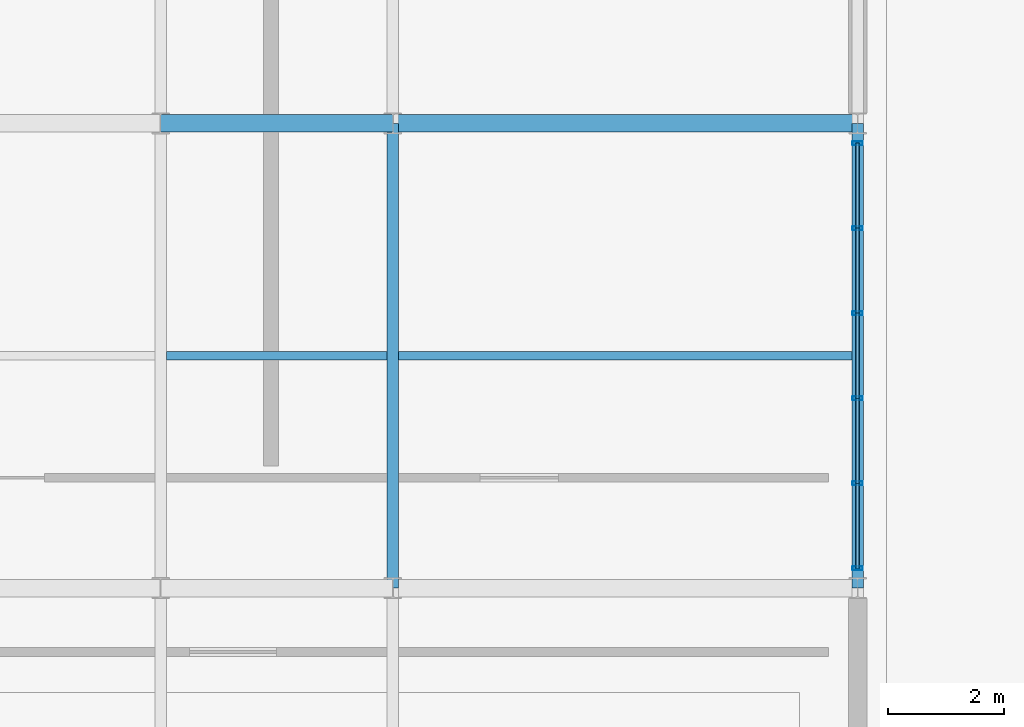
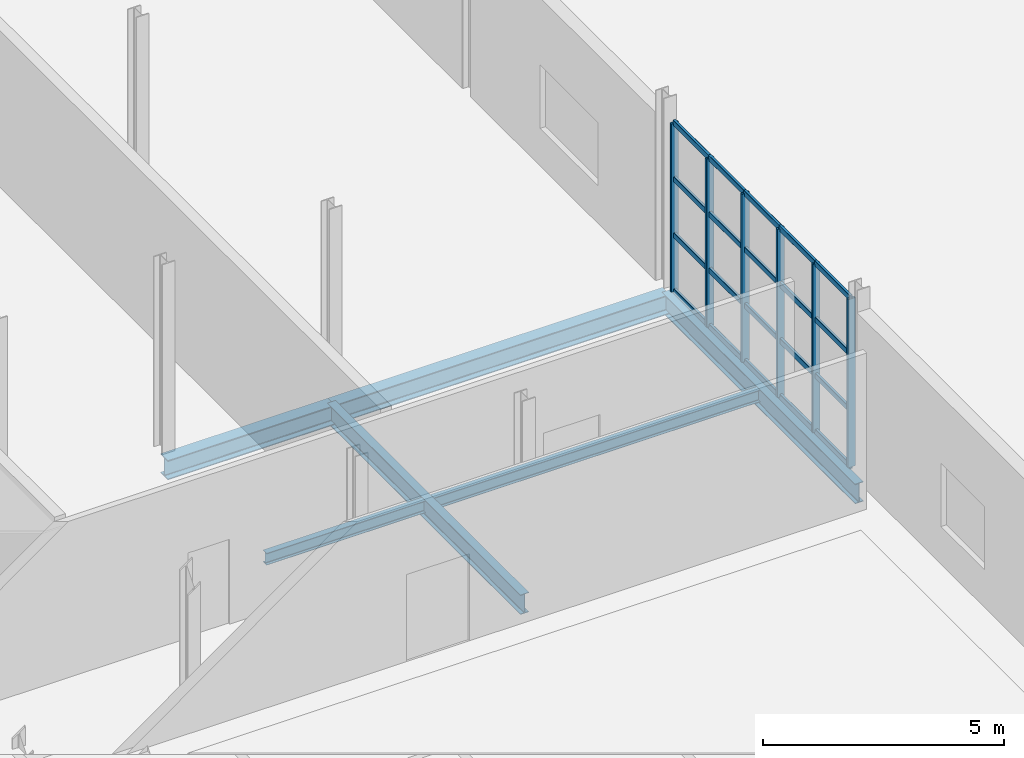
# One storey, part 102 of 143: 26 members, 6 beams, 1 element without a shape of its own.
"""IFC4 building model written with IfcOpenShell, lengths in metres."""

from ifc_helpers import new_model, si_unit, derived_unit, direction, frame, origin, origin_2d, place, context, subcontext, project, spatial, hollow_rectangle, i_section, extrude, material, material_profile, profile_set, type_object, element, aggregate, save


model = new_model("IFC4")

# Units and contexts
model_context = context("Model", 3, precision=1e-05, world=origin(), true_north=direction((0.0, 1.0)))
body_context = subcontext(model_context, "Body", "Model", "MODEL_VIEW")
ifc_project = project(units=[si_unit("LENGTHUNIT", "METRE"), si_unit("AREAUNIT", "SQUARE_METRE"), si_unit("VOLUMEUNIT", "CUBIC_METRE"), si_unit("PLANEANGLEUNIT", "RADIAN"), si_unit("MASSUNIT", "GRAM", prefix="KILO"), derived_unit("THERMALTRANSMITTANCEUNIT", [(si_unit("POWERUNIT", "WATT"), 1), (si_unit("LENGTHUNIT", "METRE"), -2), (si_unit("THERMODYNAMICTEMPERATUREUNIT", "KELVIN"), -1)])], contexts=[model_context])

# Site, building, storey
site_placement = place(None, origin())
site = spatial("IfcSite", under=ifc_project, at=site_placement, CompositionType="ELEMENT")
building_placement = place(site_placement, origin())
building = spatial("IfcBuilding", under=site, at=building_placement, Name="Keldorne Ridge Multi-Sports Centre", CompositionType="ELEMENT")
storey_placement = place(building_placement, frame((0.0, 0.0, 4.800048828125)))
storey = spatial("IfcBuildingStorey", under=building, at=storey_placement, Name="L01", CompositionType="ELEMENT", Elevation=4.800048828125)

# Beams
ifc_material_1 = material(Name="Steel S355", Category="steel")
ifc_material_profile_1 = material_profile(ifc_material_1, i_section(OverallWidth=0.199951171875, OverallDepth=0.5, WebThickness=0.01025390625, FlangeThickness=0.01611328125, FilletRadius=0.02099609375, at=origin_2d()), Name="IPE 500")
ifc_profile_set_1 = profile_set([ifc_material_profile_1], Name="Steel S355")
beam_type_1 = type_object("IfcBeamType", Name="BM-B-02", PredefinedType="BEAM", material=ifc_profile_set_1)
for number, where, z_axis, x_axis, name in (
    (1, (152.0, 90.0, -0.469970703125), (0.0, 1.0, 0.0), (-1.0, 0.0, 0.0), "L01 primary girder 152.4"),
    (2, (160.0, 90.0, -0.469970703125), (0.0, 1.0, 0.0), (-1.0, 0.0, 0.0), "L01 primary girder 160.4"),
):
    element("IfcBeam", number, at=place(storey_placement, frame(where, z_axis=z_axis, x_axis=x_axis)), inside=storey, type_object=beam_type_1, Name=name, PredefinedType="BEAM", context=body_context, shape_type="SweptSolid", body=[
        extrude(i_section(OverallWidth=0.199951171875, OverallDepth=0.5, WebThickness=0.01025390625, FlangeThickness=0.01611328125, FilletRadius=0.02099609375, at=origin_2d()), origin(), (0.0, 0.0, 1.0), 8.0),
    ])
ifc_material_profile_2 = material_profile(ifc_material_1, i_section(OverallWidth=0.300048828125, OverallDepth=0.489990234375, WebThickness=0.011962890625, FlangeThickness=0.02294921875, FilletRadius=0.027099609375, at=origin_2d()), Name="HEA 500")
ifc_profile_set_2 = profile_set([ifc_material_profile_2], Name="Steel S355")
beam_type_2 = type_object("IfcBeamType", Name="BM-B-08", PredefinedType="BEAM", material=ifc_profile_set_2)
beam_1_placement = place(storey_placement, frame((148.0, 98.0, -0.465087890625), z_axis=(1.0, 0.0, 0.0), x_axis=(0.0, 1.0, 0.0)))
element("IfcBeam", 3, at=beam_1_placement, inside=storey, type_object=beam_type_2, Name="L01 primary beam 10.98", PredefinedType="BEAM", context=body_context, shape_type="SweptSolid", body=[
    extrude(i_section(OverallWidth=0.300048828125, OverallDepth=0.489990234375, WebThickness=0.011962890625, FlangeThickness=0.02294921875, FilletRadius=0.027099609375, at=origin_2d()), origin(), (0.0, 0.0, 1.0), 4.0),
])
beam_2_placement = place(storey_placement, frame((152.0, 98.0, -0.465087890625), z_axis=(1.0, 0.0, 0.0), x_axis=(0.0, 1.0, 0.0)))
element("IfcBeam", 4, at=beam_2_placement, inside=storey, type_object=beam_type_2, Name="L01 primary beam 11.98", PredefinedType="BEAM", context=body_context, shape_type="SweptSolid", body=[
    extrude(i_section(OverallWidth=0.300048828125, OverallDepth=0.489990234375, WebThickness=0.011962890625, FlangeThickness=0.02294921875, FilletRadius=0.027099609375, at=origin_2d()), origin(), (0.0, 0.0, 1.0), 8.0),
])
ifc_material_profile_3 = material_profile(ifc_material_1, i_section(OverallWidth=0.14990234375, OverallDepth=0.300048828125, WebThickness=0.007080078125, FlangeThickness=0.0107421875, FilletRadius=0.014892578125, at=origin_2d()), Name="IPE 300")
ifc_profile_set_3 = profile_set([ifc_material_profile_3], Name="Steel S355")
beam_type_3 = type_object("IfcBeamType", Name="BM-J-02", PredefinedType="JOIST", material=ifc_profile_set_3)
beam_3_placement = place(storey_placement, frame((148.10009765625, 94.0, -0.3701171875), z_axis=(1.0, 0.0, 0.0), x_axis=(0.0, 1.0, 0.0)))
element("IfcBeam", 5, at=beam_3_placement, inside=storey, type_object=beam_type_3, Name="L01 secondary joist 10.4", PredefinedType="JOIST", context=body_context, shape_type="SweptSolid", body=[
    extrude(i_section(OverallWidth=0.14990234375, OverallDepth=0.300048828125, WebThickness=0.007080078125, FlangeThickness=0.0107421875, FilletRadius=0.014892578125, at=origin_2d()), origin(), (0.0, 0.0, 1.0), 3.7998046875),
])
beam_4_placement = place(storey_placement, frame((152.10009765625, 94.0, -0.3701171875), z_axis=(1.0, 0.0, 0.0), x_axis=(0.0, 1.0, 0.0)))
element("IfcBeam", 6, at=beam_4_placement, inside=storey, type_object=beam_type_3, Name="L01 secondary joist 11.4", PredefinedType="JOIST", context=body_context, shape_type="SweptSolid", body=[
    extrude(i_section(OverallWidth=0.14990234375, OverallDepth=0.300048828125, WebThickness=0.007080078125, FlangeThickness=0.0107421875, FilletRadius=0.014892578125, at=origin_2d()), origin(), (0.0, 0.0, 1.0), 7.7998046875),
])

# Curtain wall, members
ifc_material_2 = material(Name="Anodized aluminium", Category="aluminium")
curtain_wall_type = type_object("IfcCurtainWallType", Name="CW-CW-02", PredefinedType="NOTDEFINED", material=ifc_material_2)
curtain_wall_placement = place(storey_placement, origin())
curtain_wall = element("IfcCurtainWall", 7, at=curtain_wall_placement, inside=storey, type_object=curtain_wall_type, Name="East Wing L01 east curtain wall 146", PredefinedType="NOTDEFINED")
ifc_material_profile_4 = material_profile(ifc_material_2, hollow_rectangle(XDim=0.06494140625, YDim=0.179931640625, WallThickness=0.00439453125, InnerFilletRadius=0.00439453125, OuterFilletRadius=0.009033203125, at=origin_2d()), Name="ALU MULLION 180x65x4.5")
ifc_profile_set_4 = profile_set([ifc_material_profile_4], Name="Anodized aluminium")
member_type_1 = type_object("IfcMemberType", Name="MEM-ML-01", PredefinedType="MULLION", material=ifc_profile_set_4)
member_1_placement = place(storey_placement, frame((160.0, 90.340087890625, 0.0), z_axis=(0.0, 0.0, 1.0), x_axis=(0.0, 1.0, 0.0)))
member_1 = element("IfcMember", 8, at=member_1_placement, type_object=member_type_1, Name="CW-146 vertical mullion 1", PredefinedType="MULLION", context=body_context, shape_type="SweptSolid", body=[
    extrude(hollow_rectangle(XDim=0.06494140625, YDim=0.179931640625, WallThickness=0.00439453125, InnerFilletRadius=0.00439453125, OuterFilletRadius=0.009033203125, at=origin_2d()), origin(), (0.0, 0.0, 1.0), 4.25),
])
member_2_placement = place(storey_placement, frame((160.0, 91.803955078125, 0.0), z_axis=(0.0, 0.0, 1.0), x_axis=(0.0, 1.0, 0.0)))
member_2 = element("IfcMember", 9, at=member_2_placement, type_object=member_type_1, Name="CW-146 vertical mullion 2", PredefinedType="MULLION", context=body_context, shape_type="SweptSolid", body=[
    extrude(hollow_rectangle(XDim=0.06494140625, YDim=0.179931640625, WallThickness=0.00439453125, InnerFilletRadius=0.00439453125, OuterFilletRadius=0.009033203125, at=origin_2d()), origin(), (0.0, 0.0, 1.0), 4.25),
])
member_3_placement = place(storey_placement, frame((160.0, 93.26806640625, 0.0), z_axis=(0.0, 0.0, 1.0), x_axis=(0.0, 1.0, 0.0)))
member_3 = element("IfcMember", 10, at=member_3_placement, type_object=member_type_1, Name="CW-146 vertical mullion 3", PredefinedType="MULLION", context=body_context, shape_type="SweptSolid", body=[
    extrude(hollow_rectangle(XDim=0.06494140625, YDim=0.179931640625, WallThickness=0.00439453125, InnerFilletRadius=0.00439453125, OuterFilletRadius=0.009033203125, at=origin_2d()), origin(), (0.0, 0.0, 1.0), 4.25),
])
member_4_placement = place(storey_placement, frame((160.0, 94.73193359375, 0.0), z_axis=(0.0, 0.0, 1.0), x_axis=(0.0, 1.0, 0.0)))
member_4 = element("IfcMember", 11, at=member_4_placement, type_object=member_type_1, Name="CW-146 vertical mullion 4", PredefinedType="MULLION", context=body_context, shape_type="SweptSolid", body=[
    extrude(hollow_rectangle(XDim=0.06494140625, YDim=0.179931640625, WallThickness=0.00439453125, InnerFilletRadius=0.00439453125, OuterFilletRadius=0.009033203125, at=origin_2d()), origin(), (0.0, 0.0, 1.0), 4.25),
])
member_5_placement = place(storey_placement, frame((160.0, 96.196044921875, 0.0), z_axis=(0.0, 0.0, 1.0), x_axis=(0.0, 1.0, 0.0)))
member_5 = element("IfcMember", 12, at=member_5_placement, type_object=member_type_1, Name="CW-146 vertical mullion 5", PredefinedType="MULLION", context=body_context, shape_type="SweptSolid", body=[
    extrude(hollow_rectangle(XDim=0.06494140625, YDim=0.179931640625, WallThickness=0.00439453125, InnerFilletRadius=0.00439453125, OuterFilletRadius=0.009033203125, at=origin_2d()), origin(), (0.0, 0.0, 1.0), 4.25),
])
member_6_placement = place(storey_placement, frame((160.0, 97.659912109375, 0.0), z_axis=(0.0, 0.0, 1.0), x_axis=(0.0, 1.0, 0.0)))
member_6 = element("IfcMember", 13, at=member_6_placement, type_object=member_type_1, Name="CW-146 vertical mullion 6", PredefinedType="MULLION", context=body_context, shape_type="SweptSolid", body=[
    extrude(hollow_rectangle(XDim=0.06494140625, YDim=0.179931640625, WallThickness=0.00439453125, InnerFilletRadius=0.00439453125, OuterFilletRadius=0.009033203125, at=origin_2d()), origin(), (0.0, 0.0, 1.0), 4.25),
])
ifc_material_profile_5 = material_profile(ifc_material_2, hollow_rectangle(XDim=0.06494140625, YDim=0.139892578125, WallThickness=0.00439453125, InnerFilletRadius=0.00439453125, OuterFilletRadius=0.009033203125, at=origin_2d()), Name="ALU TRANSOM 140x65x4.5")
ifc_profile_set_5 = profile_set([ifc_material_profile_5], Name="Anodized aluminium")
member_type_2 = type_object("IfcMemberType", Name="MEM-TR-01", PredefinedType="USERDEFINED", material=ifc_profile_set_5)
member_7_placement = place(storey_placement, frame((160.0, 90.340087890625, 0.0), z_axis=(0.0, 1.0, 0.0), x_axis=(-1.0, 0.0, 0.0)))
member_7 = element("IfcMember", 14, at=member_7_placement, type_object=member_type_2, Name="CW-146 transom 1.1", ObjectType="TRANSOM", PredefinedType="USERDEFINED", context=body_context, shape_type="SweptSolid", body=[
    extrude(hollow_rectangle(XDim=0.06494140625, YDim=0.139892578125, WallThickness=0.00439453125, InnerFilletRadius=0.00439453125, OuterFilletRadius=0.009033203125, at=origin_2d()), origin(), (0.0, 0.0, 1.0), 1.4638671875),
])
member_8_placement = place(storey_placement, frame((160.0, 90.340087890625, 1.416748046875), z_axis=(0.0, 1.0, 0.0), x_axis=(-1.0, 0.0, 0.0)))
member_8 = element("IfcMember", 15, at=member_8_placement, type_object=member_type_2, Name="CW-146 transom 1.2", ObjectType="TRANSOM", PredefinedType="USERDEFINED", context=body_context, shape_type="SweptSolid", body=[
    extrude(hollow_rectangle(XDim=0.06494140625, YDim=0.139892578125, WallThickness=0.00439453125, InnerFilletRadius=0.00439453125, OuterFilletRadius=0.009033203125, at=origin_2d()), origin(), (0.0, 0.0, 1.0), 1.4638671875),
])
member_9_placement = place(storey_placement, frame((160.0, 90.340087890625, 2.833251953125), z_axis=(0.0, 1.0, 0.0), x_axis=(-1.0, 0.0, 0.0)))
member_9 = element("IfcMember", 16, at=member_9_placement, type_object=member_type_2, Name="CW-146 transom 1.3", ObjectType="TRANSOM", PredefinedType="USERDEFINED", context=body_context, shape_type="SweptSolid", body=[
    extrude(hollow_rectangle(XDim=0.06494140625, YDim=0.139892578125, WallThickness=0.00439453125, InnerFilletRadius=0.00439453125, OuterFilletRadius=0.009033203125, at=origin_2d()), origin(), (0.0, 0.0, 1.0), 1.4638671875),
])
member_10_placement = place(storey_placement, frame((160.0, 90.340087890625, 4.25), z_axis=(0.0, 1.0, 0.0), x_axis=(-1.0, 0.0, 0.0)))
member_10 = element("IfcMember", 17, at=member_10_placement, type_object=member_type_2, Name="CW-146 transom 1.4", ObjectType="TRANSOM", PredefinedType="USERDEFINED", context=body_context, shape_type="SweptSolid", body=[
    extrude(hollow_rectangle(XDim=0.06494140625, YDim=0.139892578125, WallThickness=0.00439453125, InnerFilletRadius=0.00439453125, OuterFilletRadius=0.009033203125, at=origin_2d()), origin(), (0.0, 0.0, 1.0), 1.4638671875),
])
member_11_placement = place(storey_placement, frame((160.0, 91.803955078125, 0.0), z_axis=(0.0, 1.0, 0.0), x_axis=(-1.0, 0.0, 0.0)))
member_11 = element("IfcMember", 18, at=member_11_placement, type_object=member_type_2, Name="CW-146 transom 2.1", ObjectType="TRANSOM", PredefinedType="USERDEFINED", context=body_context, shape_type="SweptSolid", body=[
    extrude(hollow_rectangle(XDim=0.06494140625, YDim=0.139892578125, WallThickness=0.00439453125, InnerFilletRadius=0.00439453125, OuterFilletRadius=0.009033203125, at=origin_2d()), origin(), (0.0, 0.0, 1.0), 1.464111328125),
])
member_12_placement = place(storey_placement, frame((160.0, 91.803955078125, 1.416748046875), z_axis=(0.0, 1.0, 0.0), x_axis=(-1.0, 0.0, 0.0)))
member_12 = element("IfcMember", 19, at=member_12_placement, type_object=member_type_2, Name="CW-146 transom 2.2", ObjectType="TRANSOM", PredefinedType="USERDEFINED", context=body_context, shape_type="SweptSolid", body=[
    extrude(hollow_rectangle(XDim=0.06494140625, YDim=0.139892578125, WallThickness=0.00439453125, InnerFilletRadius=0.00439453125, OuterFilletRadius=0.009033203125, at=origin_2d()), origin(), (0.0, 0.0, 1.0), 1.464111328125),
])
member_13_placement = place(storey_placement, frame((160.0, 91.803955078125, 2.833251953125), z_axis=(0.0, 1.0, 0.0), x_axis=(-1.0, 0.0, 0.0)))
member_13 = element("IfcMember", 20, at=member_13_placement, type_object=member_type_2, Name="CW-146 transom 2.3", ObjectType="TRANSOM", PredefinedType="USERDEFINED", context=body_context, shape_type="SweptSolid", body=[
    extrude(hollow_rectangle(XDim=0.06494140625, YDim=0.139892578125, WallThickness=0.00439453125, InnerFilletRadius=0.00439453125, OuterFilletRadius=0.009033203125, at=origin_2d()), origin(), (0.0, 0.0, 1.0), 1.464111328125),
])
member_14_placement = place(storey_placement, frame((160.0, 91.803955078125, 4.25), z_axis=(0.0, 1.0, 0.0), x_axis=(-1.0, 0.0, 0.0)))
member_14 = element("IfcMember", 21, at=member_14_placement, type_object=member_type_2, Name="CW-146 transom 2.4", ObjectType="TRANSOM", PredefinedType="USERDEFINED", context=body_context, shape_type="SweptSolid", body=[
    extrude(hollow_rectangle(XDim=0.06494140625, YDim=0.139892578125, WallThickness=0.00439453125, InnerFilletRadius=0.00439453125, OuterFilletRadius=0.009033203125, at=origin_2d()), origin(), (0.0, 0.0, 1.0), 1.464111328125),
])
member_15_placement = place(storey_placement, frame((160.0, 93.26806640625, 0.0), z_axis=(0.0, 1.0, 0.0), x_axis=(-1.0, 0.0, 0.0)))
member_15 = element("IfcMember", 22, at=member_15_placement, type_object=member_type_2, Name="CW-146 transom 3.1", ObjectType="TRANSOM", PredefinedType="USERDEFINED", context=body_context, shape_type="SweptSolid", body=[
    extrude(hollow_rectangle(XDim=0.06494140625, YDim=0.139892578125, WallThickness=0.00439453125, InnerFilletRadius=0.00439453125, OuterFilletRadius=0.009033203125, at=origin_2d()), origin(), (0.0, 0.0, 1.0), 1.4638671875),
])
member_16_placement = place(storey_placement, frame((160.0, 93.26806640625, 1.416748046875), z_axis=(0.0, 1.0, 0.0), x_axis=(-1.0, 0.0, 0.0)))
member_16 = element("IfcMember", 23, at=member_16_placement, type_object=member_type_2, Name="CW-146 transom 3.2", ObjectType="TRANSOM", PredefinedType="USERDEFINED", context=body_context, shape_type="SweptSolid", body=[
    extrude(hollow_rectangle(XDim=0.06494140625, YDim=0.139892578125, WallThickness=0.00439453125, InnerFilletRadius=0.00439453125, OuterFilletRadius=0.009033203125, at=origin_2d()), origin(), (0.0, 0.0, 1.0), 1.4638671875),
])
member_17_placement = place(storey_placement, frame((160.0, 93.26806640625, 2.833251953125), z_axis=(0.0, 1.0, 0.0), x_axis=(-1.0, 0.0, 0.0)))
member_17 = element("IfcMember", 24, at=member_17_placement, type_object=member_type_2, Name="CW-146 transom 3.3", ObjectType="TRANSOM", PredefinedType="USERDEFINED", context=body_context, shape_type="SweptSolid", body=[
    extrude(hollow_rectangle(XDim=0.06494140625, YDim=0.139892578125, WallThickness=0.00439453125, InnerFilletRadius=0.00439453125, OuterFilletRadius=0.009033203125, at=origin_2d()), origin(), (0.0, 0.0, 1.0), 1.4638671875),
])
member_18_placement = place(storey_placement, frame((160.0, 93.26806640625, 4.25), z_axis=(0.0, 1.0, 0.0), x_axis=(-1.0, 0.0, 0.0)))
member_18 = element("IfcMember", 25, at=member_18_placement, type_object=member_type_2, Name="CW-146 transom 3.4", ObjectType="TRANSOM", PredefinedType="USERDEFINED", context=body_context, shape_type="SweptSolid", body=[
    extrude(hollow_rectangle(XDim=0.06494140625, YDim=0.139892578125, WallThickness=0.00439453125, InnerFilletRadius=0.00439453125, OuterFilletRadius=0.009033203125, at=origin_2d()), origin(), (0.0, 0.0, 1.0), 1.4638671875),
])
member_19_placement = place(storey_placement, frame((160.0, 94.73193359375, 0.0), z_axis=(0.0, 1.0, 0.0), x_axis=(-1.0, 0.0, 0.0)))
member_19 = element("IfcMember", 26, at=member_19_placement, type_object=member_type_2, Name="CW-146 transom 4.1", ObjectType="TRANSOM", PredefinedType="USERDEFINED", context=body_context, shape_type="SweptSolid", body=[
    extrude(hollow_rectangle(XDim=0.06494140625, YDim=0.139892578125, WallThickness=0.00439453125, InnerFilletRadius=0.00439453125, OuterFilletRadius=0.009033203125, at=origin_2d()), origin(), (0.0, 0.0, 1.0), 1.464111328125),
])
member_20_placement = place(storey_placement, frame((160.0, 94.73193359375, 1.416748046875), z_axis=(0.0, 1.0, 0.0), x_axis=(-1.0, 0.0, 0.0)))
member_20 = element("IfcMember", 27, at=member_20_placement, type_object=member_type_2, Name="CW-146 transom 4.2", ObjectType="TRANSOM", PredefinedType="USERDEFINED", context=body_context, shape_type="SweptSolid", body=[
    extrude(hollow_rectangle(XDim=0.06494140625, YDim=0.139892578125, WallThickness=0.00439453125, InnerFilletRadius=0.00439453125, OuterFilletRadius=0.009033203125, at=origin_2d()), origin(), (0.0, 0.0, 1.0), 1.464111328125),
])
member_21_placement = place(storey_placement, frame((160.0, 94.73193359375, 2.833251953125), z_axis=(0.0, 1.0, 0.0), x_axis=(-1.0, 0.0, 0.0)))
member_21 = element("IfcMember", 28, at=member_21_placement, type_object=member_type_2, Name="CW-146 transom 4.3", ObjectType="TRANSOM", PredefinedType="USERDEFINED", context=body_context, shape_type="SweptSolid", body=[
    extrude(hollow_rectangle(XDim=0.06494140625, YDim=0.139892578125, WallThickness=0.00439453125, InnerFilletRadius=0.00439453125, OuterFilletRadius=0.009033203125, at=origin_2d()), origin(), (0.0, 0.0, 1.0), 1.464111328125),
])
member_22_placement = place(storey_placement, frame((160.0, 94.73193359375, 4.25), z_axis=(0.0, 1.0, 0.0), x_axis=(-1.0, 0.0, 0.0)))
member_22 = element("IfcMember", 29, at=member_22_placement, type_object=member_type_2, Name="CW-146 transom 4.4", ObjectType="TRANSOM", PredefinedType="USERDEFINED", context=body_context, shape_type="SweptSolid", body=[
    extrude(hollow_rectangle(XDim=0.06494140625, YDim=0.139892578125, WallThickness=0.00439453125, InnerFilletRadius=0.00439453125, OuterFilletRadius=0.009033203125, at=origin_2d()), origin(), (0.0, 0.0, 1.0), 1.464111328125),
])
member_23_placement = place(storey_placement, frame((160.0, 96.196044921875, 0.0), z_axis=(0.0, 1.0, 0.0), x_axis=(-1.0, 0.0, 0.0)))
member_23 = element("IfcMember", 30, at=member_23_placement, type_object=member_type_2, Name="CW-146 transom 5.1", ObjectType="TRANSOM", PredefinedType="USERDEFINED", context=body_context, shape_type="SweptSolid", body=[
    extrude(hollow_rectangle(XDim=0.06494140625, YDim=0.139892578125, WallThickness=0.00439453125, InnerFilletRadius=0.00439453125, OuterFilletRadius=0.009033203125, at=origin_2d()), origin(), (0.0, 0.0, 1.0), 1.4638671875),
])
member_24_placement = place(storey_placement, frame((160.0, 96.196044921875, 1.416748046875), z_axis=(0.0, 1.0, 0.0), x_axis=(-1.0, 0.0, 0.0)))
member_24 = element("IfcMember", 31, at=member_24_placement, type_object=member_type_2, Name="CW-146 transom 5.2", ObjectType="TRANSOM", PredefinedType="USERDEFINED", context=body_context, shape_type="SweptSolid", body=[
    extrude(hollow_rectangle(XDim=0.06494140625, YDim=0.139892578125, WallThickness=0.00439453125, InnerFilletRadius=0.00439453125, OuterFilletRadius=0.009033203125, at=origin_2d()), origin(), (0.0, 0.0, 1.0), 1.4638671875),
])
member_25_placement = place(storey_placement, frame((160.0, 96.196044921875, 2.833251953125), z_axis=(0.0, 1.0, 0.0), x_axis=(-1.0, 0.0, 0.0)))
member_25 = element("IfcMember", 32, at=member_25_placement, type_object=member_type_2, Name="CW-146 transom 5.3", ObjectType="TRANSOM", PredefinedType="USERDEFINED", context=body_context, shape_type="SweptSolid", body=[
    extrude(hollow_rectangle(XDim=0.06494140625, YDim=0.139892578125, WallThickness=0.00439453125, InnerFilletRadius=0.00439453125, OuterFilletRadius=0.009033203125, at=origin_2d()), origin(), (0.0, 0.0, 1.0), 1.4638671875),
])
member_26_placement = place(storey_placement, frame((160.0, 96.196044921875, 4.25), z_axis=(0.0, 1.0, 0.0), x_axis=(-1.0, 0.0, 0.0)))
member_26 = element("IfcMember", 33, at=member_26_placement, type_object=member_type_2, Name="CW-146 transom 5.4", ObjectType="TRANSOM", PredefinedType="USERDEFINED", context=body_context, shape_type="SweptSolid", body=[
    extrude(hollow_rectangle(XDim=0.06494140625, YDim=0.139892578125, WallThickness=0.00439453125, InnerFilletRadius=0.00439453125, OuterFilletRadius=0.009033203125, at=origin_2d()), origin(), (0.0, 0.0, 1.0), 1.4638671875),
])
aggregate(curtain_wall, [member_1, member_2, member_3, member_4, member_5, member_6, member_7, member_8, member_9, member_10, member_11, member_12, member_13, member_14, member_15, member_16, member_17, member_18, member_19, member_20, member_21, member_22, member_23, member_24, member_25, member_26])

save(model, "model.ifc")
